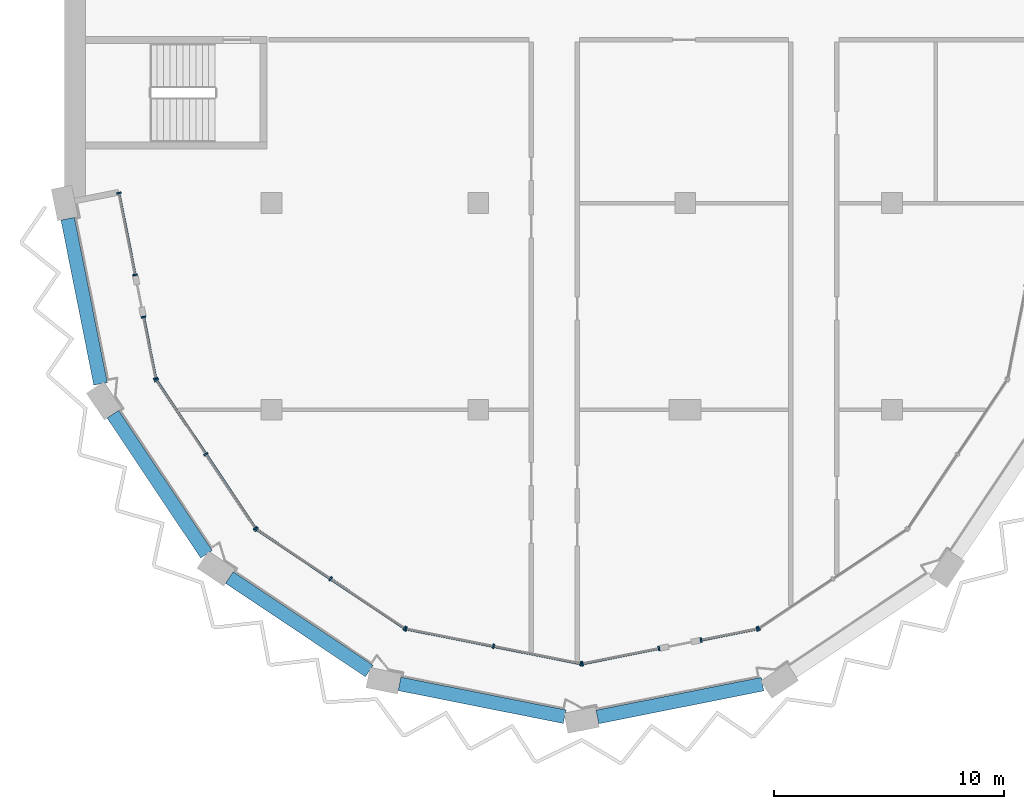
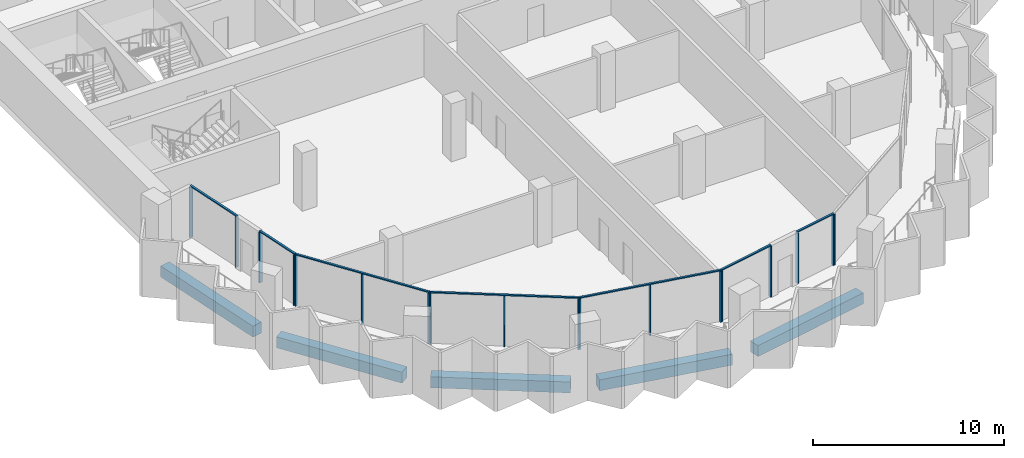
# One storey, part 2 of 14: 25 members, 5 beams, 8 elements without a shape of their own.
"""IFC4 building model written with IfcOpenShell, lengths in metres."""

from ifc_helpers import new_model, si_unit, direction, frame, origin, origin_2d, place, context, subcontext, project, spatial, rectangle, extrude, material, material_profile, profile_set, type_object, element, aggregate, save


model = new_model("IFC4")

# Units and contexts
model_context = context("Model", 3, precision=1e-05, world=origin(), true_north=direction((0.0, 1.0)))
body_context = subcontext(model_context, "Body", "Model", "MODEL_VIEW")
ifc_project = project(units=[si_unit("LENGTHUNIT", "METRE"), si_unit("AREAUNIT", "SQUARE_METRE"), si_unit("VOLUMEUNIT", "CUBIC_METRE"), si_unit("PLANEANGLEUNIT", "RADIAN"), si_unit("MASSUNIT", "GRAM", prefix="KILO")], contexts=[model_context])

# Site, building, storey
site_placement = place(None, origin())
site = spatial("IfcSite", under=ifc_project, at=site_placement, CompositionType="ELEMENT")
building_placement = place(site_placement, origin())
building = spatial("IfcBuilding", under=site, at=building_placement, Name="Hunhe Ridgeline Campus", CompositionType="ELEMENT")
storey_placement = place(building_placement, frame((0.0, 0.0, 284.5)))
storey = spatial("IfcBuildingStorey", under=building, at=storey_placement, Name="L73", CompositionType="ELEMENT", Elevation=284.5)

# Curtain wall, members
ifc_material_1 = material(Name="Aluminium 6063", Category="aluminium")
curtain_wall_type = type_object("IfcCurtainWallType", Name="Curtain wall CW-5", PredefinedType="NOTDEFINED", material=ifc_material_1)
curtain_wall_1_placement = place(storey_placement, origin())
curtain_wall_1 = element("IfcCurtainWall", 1, at=curtain_wall_1_placement, inside=storey, type_object=curtain_wall_type, Name="Curtain wall 01", PredefinedType="NOTDEFINED")
ifc_material_profile_1 = material_profile(ifc_material_1, rectangle(XDim=0.199951171875, YDim=0.070068359375, at=origin_2d()))
ifc_profile_set_1 = profile_set([ifc_material_profile_1], Name="Aluminium 6063")
member_type_1 = type_object("IfcMemberType", Name="CW-5 aluminium mullion", PredefinedType="MULLION", material=ifc_profile_set_1)
member_1_placement = place(storey_placement, frame((2.361572265625, 54.434326171875, 0.0), z_axis=(0.0, 0.0, 1.0), x_axis=(0.980784284924, 0.195095326561, 0.0)))
member_1 = element("IfcMember", 2, at=member_1_placement, type_object=member_type_1, Name="CW-5 mullion 1", PredefinedType="MULLION", context=body_context, shape_type="SweptSolid", body=[
    extrude(rectangle(XDim=0.199951171875, YDim=0.070068359375, at=origin_2d()), origin(), (0.0, 0.0, 1.0), 3.22998046875),
])
member_2_placement = place(storey_placement, frame((3.070068359375, 50.873291015625, 0.0), z_axis=(0.0, 0.0, 1.0), x_axis=(0.980784284924, 0.195095326561, 0.0)))
member_2 = element("IfcMember", 3, at=member_2_placement, type_object=member_type_1, Name="CW-5 mullion 2", PredefinedType="MULLION", context=body_context, shape_type="SweptSolid", body=[
    extrude(rectangle(XDim=0.199951171875, YDim=0.070068359375, at=origin_2d()), origin(), (0.0, 0.0, 1.0), 3.22998046875),
])

curtain_wall_2_placement = place(storey_placement, origin())
curtain_wall_2 = element("IfcCurtainWall", 4, at=curtain_wall_2_placement, inside=storey, type_object=curtain_wall_type, Name="Curtain wall 02", PredefinedType="NOTDEFINED")
member_3_placement = place(storey_placement, frame((3.434814453125, 49.0390625, 0.0), z_axis=(0.0, 0.0, 1.0), x_axis=(0.980784297053, 0.195095265587, 0.0)))
member_3 = element("IfcMember", 5, at=member_3_placement, type_object=member_type_1, Name="CW-5 mullion 1", PredefinedType="MULLION", context=body_context, shape_type="SweptSolid", body=[
    extrude(rectangle(XDim=0.199951171875, YDim=0.070068359375, at=origin_2d()), origin(), (0.0, 0.0, 1.0), 3.22998046875),
])
member_4_placement = place(storey_placement, frame((3.967529296875, 46.36083984375, 0.0), z_axis=(0.0, 0.0, 1.0), x_axis=(0.980784297053, 0.195095265587, 0.0)))
member_4 = element("IfcMember", 6, at=member_4_placement, type_object=member_type_1, Name="CW-5 mullion 2", PredefinedType="MULLION", context=body_context, shape_type="SweptSolid", body=[
    extrude(rectangle(XDim=0.199951171875, YDim=0.070068359375, at=origin_2d()), origin(), (0.0, 0.0, 1.0), 3.22998046875),
])

curtain_wall_3_placement = place(storey_placement, origin())
curtain_wall_3 = element("IfcCurtainWall", 7, at=curtain_wall_3_placement, inside=storey, type_object=curtain_wall_type, Name="Curtain wall 03", PredefinedType="NOTDEFINED")
member_5_placement = place(storey_placement, frame((3.993896484375, 46.29736328125, 0.0), z_axis=(0.0, 0.0, 1.0), x_axis=(0.831469584522, 0.555570274596, 0.0)))
member_5 = element("IfcMember", 8, at=member_5_placement, type_object=member_type_1, Name="CW-5 mullion 1", PredefinedType="MULLION", context=body_context, shape_type="SweptSolid", body=[
    extrude(rectangle(XDim=0.199951171875, YDim=0.070068359375, at=origin_2d()), origin(), (0.0, 0.0, 1.0), 3.22998046875),
])
member_6_placement = place(storey_placement, frame((6.147705078125, 43.07373046875, 0.0), z_axis=(0.0, 0.0, 1.0), x_axis=(0.831469584522, 0.555570274596, 0.0)))
member_6 = element("IfcMember", 9, at=member_6_placement, type_object=member_type_1, Name="CW-5 mullion 2", PredefinedType="MULLION", context=body_context, shape_type="SweptSolid", body=[
    extrude(rectangle(XDim=0.199951171875, YDim=0.070068359375, at=origin_2d()), origin(), (0.0, 0.0, 1.0), 3.22998046875),
])
member_7_placement = place(storey_placement, frame((8.3017578125, 39.850341796875, 0.0), z_axis=(0.0, 0.0, 1.0), x_axis=(0.831469584522, 0.555570274596, 0.0)))
member_7 = element("IfcMember", 10, at=member_7_placement, type_object=member_type_1, Name="CW-5 mullion 3", PredefinedType="MULLION", context=body_context, shape_type="SweptSolid", body=[
    extrude(rectangle(XDim=0.199951171875, YDim=0.070068359375, at=origin_2d()), origin(), (0.0, 0.0, 1.0), 3.22998046875),
])

curtain_wall_4_placement = place(storey_placement, origin())
curtain_wall_4 = element("IfcCurtainWall", 11, at=curtain_wall_4_placement, inside=storey, type_object=curtain_wall_type, Name="Curtain wall 04", PredefinedType="NOTDEFINED")
member_8_placement = place(storey_placement, frame((8.350341796875, 39.8017578125, 0.0), z_axis=(0.0, 0.0, 1.0), x_axis=(0.555570274596, 0.831469584522, 0.0)))
member_8 = element("IfcMember", 12, at=member_8_placement, type_object=member_type_1, Name="CW-5 mullion 1", PredefinedType="MULLION", context=body_context, shape_type="SweptSolid", body=[
    extrude(rectangle(XDim=0.199951171875, YDim=0.070068359375, at=origin_2d()), origin(), (0.0, 0.0, 1.0), 3.22998046875),
])
member_9_placement = place(storey_placement, frame((11.57373046875, 37.647705078125, 0.0), z_axis=(0.0, 0.0, 1.0), x_axis=(0.555570274596, 0.831469584522, 0.0)))
member_9 = element("IfcMember", 13, at=member_9_placement, type_object=member_type_1, Name="CW-5 mullion 2", PredefinedType="MULLION", context=body_context, shape_type="SweptSolid", body=[
    extrude(rectangle(XDim=0.199951171875, YDim=0.070068359375, at=origin_2d()), origin(), (0.0, 0.0, 1.0), 3.22998046875),
])
member_10_placement = place(storey_placement, frame((14.79736328125, 35.493896484375, 0.0), z_axis=(0.0, 0.0, 1.0), x_axis=(0.555570274596, 0.831469584522, 0.0)))
member_10 = element("IfcMember", 14, at=member_10_placement, type_object=member_type_1, Name="CW-5 mullion 3", PredefinedType="MULLION", context=body_context, shape_type="SweptSolid", body=[
    extrude(rectangle(XDim=0.199951171875, YDim=0.070068359375, at=origin_2d()), origin(), (0.0, 0.0, 1.0), 3.22998046875),
])

curtain_wall_5_placement = place(storey_placement, origin())
curtain_wall_5 = element("IfcCurtainWall", 15, at=curtain_wall_5_placement, inside=storey, type_object=curtain_wall_type, Name="Curtain wall 05", PredefinedType="NOTDEFINED")
member_11_placement = place(storey_placement, frame((14.86083984375, 35.467529296875, 0.0), z_axis=(0.0, 0.0, 1.0), x_axis=(0.195090347539, 0.980785275326, 0.0)))
member_11 = element("IfcMember", 16, at=member_11_placement, type_object=member_type_1, Name="CW-5 mullion 1", PredefinedType="MULLION", context=body_context, shape_type="SweptSolid", body=[
    extrude(rectangle(XDim=0.199951171875, YDim=0.070068359375, at=origin_2d()), origin(), (0.0, 0.0, 1.0), 3.22998046875),
])
member_12_placement = place(storey_placement, frame((18.663330078125, 34.711181640625, 0.0), z_axis=(0.0, 0.0, 1.0), x_axis=(0.195090347539, 0.980785275326, 0.0)))
member_12 = element("IfcMember", 17, at=member_12_placement, type_object=member_type_1, Name="CW-5 mullion 2", PredefinedType="MULLION", context=body_context, shape_type="SweptSolid", body=[
    extrude(rectangle(XDim=0.199951171875, YDim=0.070068359375, at=origin_2d()), origin(), (0.0, 0.0, 1.0), 3.22998046875),
])
member_13_placement = place(storey_placement, frame((22.465576171875, 33.954833984375, 0.0), z_axis=(0.0, 0.0, 1.0), x_axis=(0.195090347539, 0.980785275326, 0.0)))
member_13 = element("IfcMember", 18, at=member_13_placement, type_object=member_type_1, Name="CW-5 mullion 3", PredefinedType="MULLION", context=body_context, shape_type="SweptSolid", body=[
    extrude(rectangle(XDim=0.199951171875, YDim=0.070068359375, at=origin_2d()), origin(), (0.0, 0.0, 1.0), 3.22998046875),
])

curtain_wall_6_placement = place(storey_placement, origin())
curtain_wall_6 = element("IfcCurtainWall", 19, at=curtain_wall_6_placement, inside=storey, type_object=curtain_wall_type, Name="Curtain wall 06", PredefinedType="NOTDEFINED")
member_14_placement = place(storey_placement, frame((22.534423828125, 33.954833984375, 0.0), z_axis=(0.0, 0.0, 1.0), x_axis=(-0.19509037034, 0.980785270791, 0.0)))
member_14 = element("IfcMember", 20, at=member_14_placement, type_object=member_type_1, Name="CW-5 mullion 1", PredefinedType="MULLION", context=body_context, shape_type="SweptSolid", body=[
    extrude(rectangle(XDim=0.199951171875, YDim=0.070068359375, at=origin_2d()), origin(), (0.0, 0.0, 1.0), 3.22998046875),
])
member_15_placement = place(storey_placement, frame((25.861083984375, 34.61669921875, 0.0), z_axis=(0.0, 0.0, 1.0), x_axis=(-0.19509037034, 0.980785270791, 0.0)))
member_15 = element("IfcMember", 21, at=member_15_placement, type_object=member_type_1, Name="CW-5 mullion 2", PredefinedType="MULLION", context=body_context, shape_type="SweptSolid", body=[
    extrude(rectangle(XDim=0.199951171875, YDim=0.070068359375, at=origin_2d()), origin(), (0.0, 0.0, 1.0), 3.22998046875),
])

curtain_wall_7_placement = place(storey_placement, origin())
curtain_wall_7 = element("IfcCurtainWall", 22, at=curtain_wall_7_placement, inside=storey, type_object=curtain_wall_type, Name="Curtain wall 07", PredefinedType="NOTDEFINED")
member_16_placement = place(storey_placement, frame((27.695068359375, 34.9814453125, 0.0), z_axis=(0.0, 0.0, 1.0), x_axis=(-0.195090514627, 0.980785242091, 0.0)))
member_16 = element("IfcMember", 23, at=member_16_placement, type_object=member_type_1, Name="CW-5 mullion 1", PredefinedType="MULLION", context=body_context, shape_type="SweptSolid", body=[
    extrude(rectangle(XDim=0.199951171875, YDim=0.070068359375, at=origin_2d()), origin(), (0.0, 0.0, 1.0), 3.22998046875),
])
member_17_placement = place(storey_placement, frame((30.13916015625, 35.467529296875, 0.0), z_axis=(0.0, 0.0, 1.0), x_axis=(-0.195090514627, 0.980785242091, 0.0)))
member_17 = element("IfcMember", 24, at=member_17_placement, type_object=member_type_1, Name="CW-5 mullion 2", PredefinedType="MULLION", context=body_context, shape_type="SweptSolid", body=[
    extrude(rectangle(XDim=0.199951171875, YDim=0.070068359375, at=origin_2d()), origin(), (0.0, 0.0, 1.0), 3.22998046875),
])

# Curtain wall, member
curtain_wall_8_placement = place(storey_placement, origin())
curtain_wall_8 = element("IfcCurtainWall", 25, at=curtain_wall_8_placement, inside=storey, type_object=curtain_wall_type, Name="Curtain wall 08", PredefinedType="NOTDEFINED")
member_18_placement = place(storey_placement, frame((30.20263671875, 35.493896484375, 0.0), z_axis=(0.0, 0.0, 1.0), x_axis=(-0.555570274596, 0.831469584522, 0.0)))
member_18 = element("IfcMember", 26, at=member_18_placement, type_object=member_type_1, Name="CW-5 mullion 1", PredefinedType="MULLION", context=body_context, shape_type="SweptSolid", body=[
    extrude(rectangle(XDim=0.199951171875, YDim=0.070068359375, at=origin_2d()), origin(), (0.0, 0.0, 1.0), 3.22998046875),
])
aggregate(curtain_wall_8, [member_18])

# Member
ifc_material_profile_2 = material_profile(ifc_material_1, rectangle(XDim=0.1201171875, YDim=0.070068359375, at=origin_2d()))
ifc_profile_set_2 = profile_set([ifc_material_profile_2], Name="Aluminium 6063")
member_type_2 = type_object("IfcMemberType", Name="CW-5 aluminium transom", PredefinedType="USERDEFINED", material=ifc_profile_set_2)
member_19_placement = place(storey_placement, frame((2.354736328125, 54.46875, 3.264892578125), z_axis=(0.195126549745, -0.980778073564, 0.0), x_axis=(0.980778073564, 0.195126549745, 0.0)))
member_19 = element("IfcMember", 27, at=member_19_placement, type_object=member_type_2, Name="CW-5 transom 1", ObjectType="TRANSOM", PredefinedType="USERDEFINED", context=body_context, shape_type="SweptSolid", body=[
    extrude(rectangle(XDim=0.1201171875, YDim=0.070068359375, at=origin_2d()), origin(), (0.0, 0.0, 1.0), 3.700927734375),
])

aggregate(curtain_wall_1, [member_19, member_1, member_2])

member_20_placement = place(storey_placement, frame((3.427978515625, 49.073486328125, 3.264892578125), z_axis=(0.195076742145, -0.98078798151, 0.0), x_axis=(0.98078798151, 0.195076742145, 0.0)))
member_20 = element("IfcMember", 28, at=member_20_placement, type_object=member_type_2, Name="CW-5 transom 1", ObjectType="TRANSOM", PredefinedType="USERDEFINED", context=body_context, shape_type="SweptSolid", body=[
    extrude(rectangle(XDim=0.1201171875, YDim=0.070068359375, at=origin_2d()), origin(), (0.0, 0.0, 1.0), 2.80078125),
])

aggregate(curtain_wall_2, [member_20, member_3, member_4])

member_21_placement = place(storey_placement, frame((3.974365234375, 46.326416015625, 3.264892578125), z_axis=(0.5555640203, -0.831473763475, 0.0), x_axis=(0.831473763475, 0.5555640203, 0.0)))
member_21 = element("IfcMember", 29, at=member_21_placement, type_object=member_type_2, Name="CW-5 transom 1", ObjectType="TRANSOM", PredefinedType="USERDEFINED", context=body_context, shape_type="SweptSolid", body=[
    extrude(rectangle(XDim=0.1201171875, YDim=0.070068359375, at=origin_2d()), origin(), (0.0, 0.0, 1.0), 7.823974609375),
])

aggregate(curtain_wall_3, [member_21, member_5, member_6, member_7])

member_22_placement = place(storey_placement, frame((8.321044921875, 39.821044921875, 3.264892578125), z_axis=(0.831473763475, -0.5555640203, 0.0), x_axis=(0.5555640203, 0.831473763475, 0.0)))
member_22 = element("IfcMember", 30, at=member_22_placement, type_object=member_type_2, Name="CW-5 transom 1", ObjectType="TRANSOM", PredefinedType="USERDEFINED", context=body_context, shape_type="SweptSolid", body=[
    extrude(rectangle(XDim=0.1201171875, YDim=0.070068359375, at=origin_2d()), origin(), (0.0, 0.0, 1.0), 7.823974609375),
])

aggregate(curtain_wall_4, [member_22, member_8, member_9, member_10])

member_23_placement = place(storey_placement, frame((14.826416015625, 35.474365234375, 3.264892578125), z_axis=(0.980785367689, -0.195089883198, 0.0), x_axis=(0.195089883198, 0.980785367689, 0.0)))
member_23 = element("IfcMember", 31, at=member_23_placement, type_object=member_type_2, Name="CW-5 transom 1", ObjectType="TRANSOM", PredefinedType="USERDEFINED", context=body_context, shape_type="SweptSolid", body=[
    extrude(rectangle(XDim=0.1201171875, YDim=0.070068359375, at=origin_2d()), origin(), (0.0, 0.0, 1.0), 7.823974609375),
])

aggregate(curtain_wall_5, [member_23, member_11, member_12, member_13])

member_24_placement = place(storey_placement, frame((22.5, 33.947998046875, 3.264892578125), z_axis=(0.980778171596, 0.195126057004, 0.0), x_axis=(-0.195126057004, 0.980778171596, 0.0)))
member_24 = element("IfcMember", 32, at=member_24_placement, type_object=member_type_2, Name="CW-5 transom 1", ObjectType="TRANSOM", PredefinedType="USERDEFINED", context=body_context, shape_type="SweptSolid", body=[
    extrude(rectangle(XDim=0.1201171875, YDim=0.070068359375, at=origin_2d()), origin(), (0.0, 0.0, 1.0), 3.462158203125),
])

aggregate(curtain_wall_6, [member_24, member_14, member_15])

member_25_placement = place(storey_placement, frame((27.660888671875, 34.974609375, 3.264892578125), z_axis=(0.980789038007, 0.195071430315, 0.0), x_axis=(-0.195071430315, 0.980789038007, 0.0)))
member_25 = element("IfcMember", 33, at=member_25_placement, type_object=member_type_2, Name="CW-5 transom 1", ObjectType="TRANSOM", PredefinedType="USERDEFINED", context=body_context, shape_type="SweptSolid", body=[
    extrude(rectangle(XDim=0.1201171875, YDim=0.070068359375, at=origin_2d()), origin(), (0.0, 0.0, 1.0), 2.56201171875),
])

aggregate(curtain_wall_7, [member_25, member_16, member_17])

# Beams
ifc_material_2 = material(Name="Concrete C50", Category="concrete")
ifc_material_profile_3 = material_profile(ifc_material_2, rectangle(XDim=0.60009765625, YDim=0.699951171875, at=origin_2d()))
ifc_profile_set_3 = profile_set([ifc_material_profile_3], Name="Concrete C50")
beam_type = type_object("IfcBeamType", Name="RC spandrel beam 600x700 Concrete C50", PredefinedType="SPANDREL", material=ifc_profile_set_3)
beam_1_placement = place(storey_placement, frame((0.136474609375, 53.3134765625, -0.60009765625), z_axis=(0.195109229868, -0.980781519208, 0.0), x_axis=(0.980781519208, 0.195109229868, 0.0)))
element("IfcBeam", 34, at=beam_1_placement, inside=storey, type_object=beam_type, Name="Spandrel beam B4-1 L73", PredefinedType="SPANDREL", context=body_context, shape_type="SweptSolid", body=[
    extrude(rectangle(XDim=0.60009765625, YDim=0.699951171875, at=origin_2d()), origin(), (0.0, 0.0, 1.0), 7.3212890625),
])
beam_2_placement = place(storey_placement, frame((2.1015625, 44.8076171875, -0.60009765625), z_axis=(0.555569441455, -0.831470141209, 0.0), x_axis=(0.831470141209, 0.555569441455, 0.0)))
element("IfcBeam", 35, at=beam_2_placement, inside=storey, type_object=beam_type, Name="Spandrel beam B4-2 L73", PredefinedType="SPANDREL", context=body_context, shape_type="SweptSolid", body=[
    extrude(rectangle(XDim=0.60009765625, YDim=0.699951171875, at=origin_2d()), origin(), (0.0, 0.0, 1.0), 7.321533203125),
])
for number, where, z_axis, x_axis, name in (
    (36, (7.172119140625, 37.701171875, -0.60009765625), (0.831459848444, -0.555584845389, 0.0), (0.555584845389, 0.831459848444, 0.0), "Spandrel beam B4-3 L73"),
    (37, (14.576171875, 33.076171875, -0.60009765625), (0.980781519208, -0.195109229868, 0.0), (0.195109229868, 0.980781519208, 0.0), "Spandrel beam B4-4 L73"),
    (38, (23.1865234375, 31.636474609375, -0.60009765625), (0.980781519208, 0.195109229868, 0.0), (-0.195109229868, 0.980781519208, 0.0), "Spandrel beam B4-5 L73"),
):
    element("IfcBeam", number, at=place(storey_placement, frame(where, z_axis=z_axis, x_axis=x_axis)), inside=storey, type_object=beam_type, Name=name, PredefinedType="SPANDREL", context=body_context, shape_type="SweptSolid", body=[
        extrude(rectangle(XDim=0.60009765625, YDim=0.699951171875, at=origin_2d()), origin(), (0.0, 0.0, 1.0), 7.3212890625),
    ])

save(model, "model.ifc")
